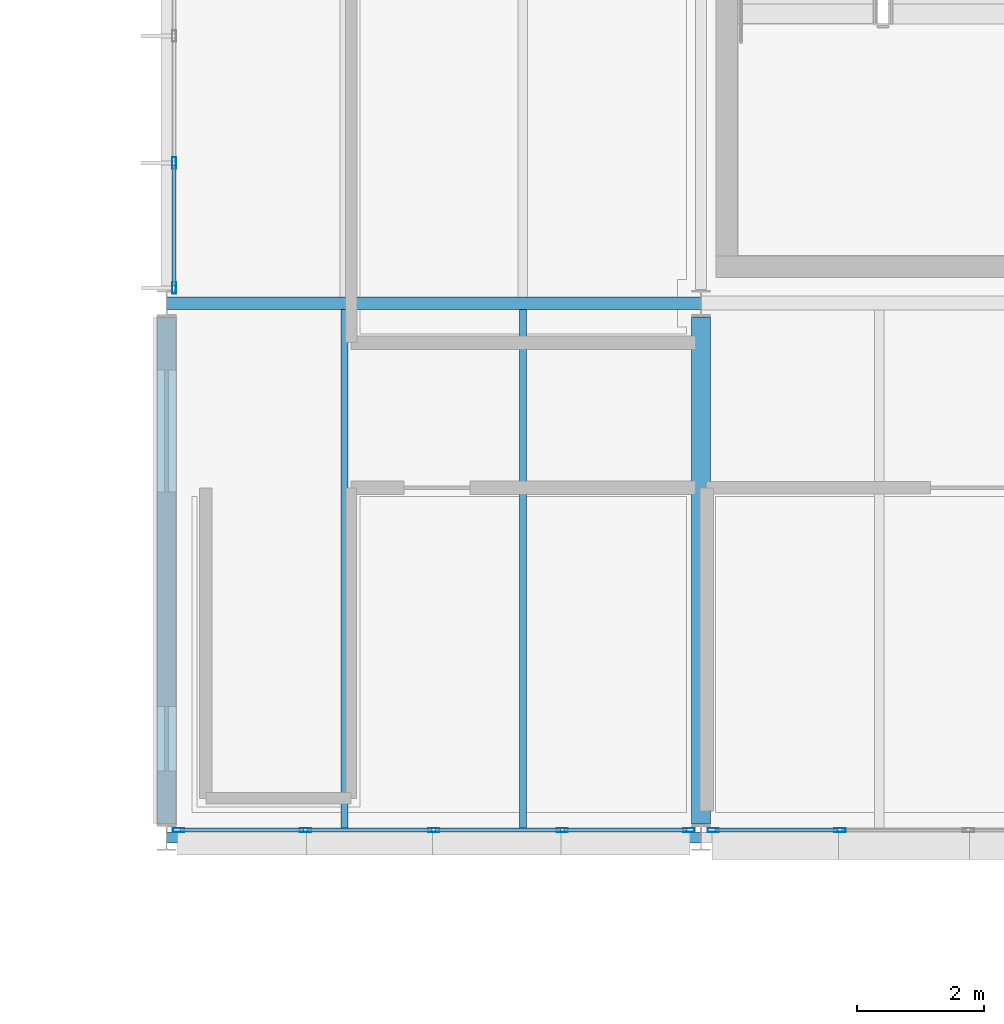
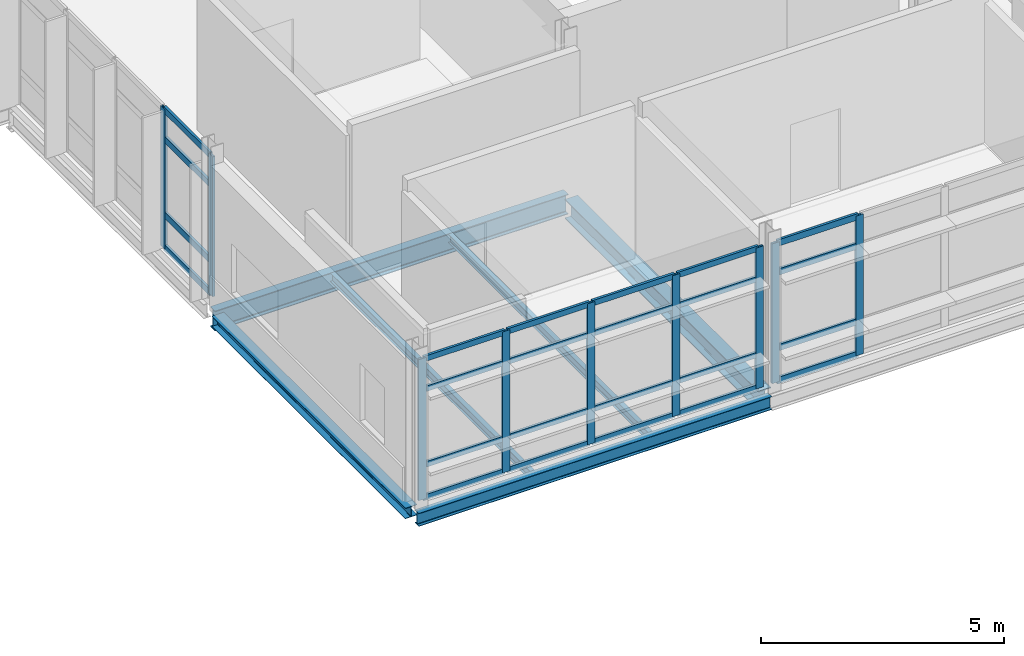
# One storey, part 36 of 66: 33 members, 6 beams, 3 elements without a shape of their own.
"""IFC4 building model written with IfcOpenShell, lengths in metres."""

from ifc_helpers import new_model, si_unit, direction, frame, origin, origin_2d, place, context, subcontext, project, spatial, hollow_rectangle, i_section, extrude, material, material_profile, profile_set, type_object, element, aggregate, save


model = new_model("IFC4")

# Units and contexts
model_context = context("Model", 3, precision=1e-05, world=origin(), true_north=direction((0.0, 1.0)))
body_context = subcontext(model_context, "Body", "Model", "MODEL_VIEW")
ifc_project = project(units=[si_unit("LENGTHUNIT", "METRE"), si_unit("AREAUNIT", "SQUARE_METRE"), si_unit("VOLUMEUNIT", "CUBIC_METRE"), si_unit("PLANEANGLEUNIT", "RADIAN"), si_unit("MASSUNIT", "GRAM", prefix="KILO")], contexts=[model_context])

# Site, building, storey
site_placement = place(None, origin())
site = spatial("IfcSite", under=ifc_project, at=site_placement, CompositionType="ELEMENT")
building_placement = place(site_placement, origin())
building = spatial("IfcBuilding", under=site, at=building_placement, Name="Mersafa Astral City Hall", CompositionType="ELEMENT")
storey_placement = place(building_placement, frame((0.0, 0.0, 22.050048828125)))
storey = spatial("IfcBuildingStorey", under=building, at=storey_placement, Name="L05", CompositionType="ELEMENT", Elevation=22.050048828125)

# Curtain wall, members
ifc_material_1 = material(Name="Anodised bronze aluminium framing", Category="aluminium")
curtain_wall_type_1 = type_object("IfcCurtainWallType", Name="ENV-CW-3", PredefinedType="USERDEFINED", material=ifc_material_1)
curtain_wall_1_placement = place(storey_placement, origin())
curtain_wall_1 = element("IfcCurtainWall", 1, at=curtain_wall_1_placement, inside=storey, type_object=curtain_wall_type_1, Name="L05 Unitised solar curtain wall 242", ObjectType="UNITISED CURTAIN WALL", PredefinedType="USERDEFINED")
ifc_material_profile_1 = material_profile(ifc_material_1, hollow_rectangle(XDim=0.06005859375, YDim=0.179931640625, WallThickness=0.00390625, at=origin_2d()), Name="RHS 60x180x4")
ifc_profile_set_1 = profile_set([ifc_material_profile_1], Name="Anodised bronze aluminium framing")
member_type_1 = type_object("IfcMemberType", Name="ENV-CW-MUL-1", PredefinedType="MULLION", material=ifc_profile_set_1)
member_1_placement = place(storey_placement, frame((142.919921875, 111.406005859375, -0.001953125), z_axis=(0.0, 0.0, 1.0), x_axis=(1.0, 0.0, 0.0)))
member_1 = element("IfcMember", 2, at=member_1_placement, type_object=member_type_1, Name="CW-3 mullion 4", PredefinedType="MULLION", context=body_context, shape_type="SweptSolid", body=[
    extrude(hollow_rectangle(XDim=0.06005859375, YDim=0.179931640625, WallThickness=0.00390625, at=origin_2d()), origin(), (0.0, 0.0, 1.0), 3.513916015625),
])
member_2_placement = place(storey_placement, frame((142.919921875, 109.44189453125, -0.001953125), z_axis=(0.0, 0.0, 1.0), x_axis=(1.0, 0.0, 0.0)))
member_2 = element("IfcMember", 3, at=member_2_placement, type_object=member_type_1, Name="CW-3 mullion 5", PredefinedType="MULLION", context=body_context, shape_type="SweptSolid", body=[
    extrude(hollow_rectangle(XDim=0.06005859375, YDim=0.179931640625, WallThickness=0.00390625, at=origin_2d()), origin(), (0.0, 0.0, 1.0), 3.513916015625),
])

curtain_wall_type_2 = type_object("IfcCurtainWallType", Name="ENV-CW-4", PredefinedType="USERDEFINED", material=ifc_material_1)
curtain_wall_2_placement = place(storey_placement, origin())
curtain_wall_2 = element("IfcCurtainWall", 4, at=curtain_wall_2_placement, inside=storey, type_object=curtain_wall_type_2, Name="L05 Unitised solar curtain wall 243", ObjectType="UNITISED CURTAIN WALL", PredefinedType="USERDEFINED")
member_3_placement = place(storey_placement, frame((142.991943359375, 100.919921875, -0.001953125), z_axis=(0.0, 0.0, 1.0), x_axis=(0.0, 1.0, 0.0)))
member_3 = element("IfcMember", 5, at=member_3_placement, type_object=member_type_1, Name="CW-4 mullion 1", PredefinedType="MULLION", context=body_context, shape_type="SweptSolid", body=[
    extrude(hollow_rectangle(XDim=0.06005859375, YDim=0.179931640625, WallThickness=0.00390625, at=origin_2d()), origin(), (0.0, 0.0, 1.0), 3.5439453125),
])
member_4_placement = place(storey_placement, frame((144.98095703125, 100.919921875, -0.001953125), z_axis=(0.0, 0.0, 1.0), x_axis=(0.0, 1.0, 0.0)))
member_4 = element("IfcMember", 6, at=member_4_placement, type_object=member_type_1, Name="CW-4 mullion 2", PredefinedType="MULLION", context=body_context, shape_type="SweptSolid", body=[
    extrude(hollow_rectangle(XDim=0.06005859375, YDim=0.179931640625, WallThickness=0.00390625, at=origin_2d()), origin(), (0.0, 0.0, 1.0), 3.5439453125),
])
member_5_placement = place(storey_placement, frame((147.0, 100.919921875, -0.001953125), z_axis=(0.0, 0.0, 1.0), x_axis=(0.0, 1.0, 0.0)))
member_5 = element("IfcMember", 7, at=member_5_placement, type_object=member_type_1, Name="CW-4 mullion 3", PredefinedType="MULLION", context=body_context, shape_type="SweptSolid", body=[
    extrude(hollow_rectangle(XDim=0.06005859375, YDim=0.179931640625, WallThickness=0.00390625, at=origin_2d()), origin(), (0.0, 0.0, 1.0), 3.5439453125),
])
member_6_placement = place(storey_placement, frame((149.01904296875, 100.919921875, -0.001953125), z_axis=(0.0, 0.0, 1.0), x_axis=(0.0, 1.0, 0.0)))
member_6 = element("IfcMember", 8, at=member_6_placement, type_object=member_type_1, Name="CW-4 mullion 4", PredefinedType="MULLION", context=body_context, shape_type="SweptSolid", body=[
    extrude(hollow_rectangle(XDim=0.06005859375, YDim=0.179931640625, WallThickness=0.00390625, at=origin_2d()), origin(), (0.0, 0.0, 1.0), 3.5439453125),
])
member_7_placement = place(storey_placement, frame((151.008056640625, 100.919921875, -0.001953125), z_axis=(0.0, 0.0, 1.0), x_axis=(0.0, 1.0, 0.0)))
member_7 = element("IfcMember", 9, at=member_7_placement, type_object=member_type_1, Name="CW-4 mullion 5", PredefinedType="MULLION", context=body_context, shape_type="SweptSolid", body=[
    extrude(hollow_rectangle(XDim=0.06005859375, YDim=0.179931640625, WallThickness=0.00390625, at=origin_2d()), origin(), (0.0, 0.0, 1.0), 3.5439453125),
])

curtain_wall_type_3 = type_object("IfcCurtainWallType", Name="ENV-CW-5", PredefinedType="USERDEFINED", material=ifc_material_1)
curtain_wall_3_placement = place(storey_placement, origin())
curtain_wall_3 = element("IfcCurtainWall", 10, at=curtain_wall_3_placement, inside=storey, type_object=curtain_wall_type_3, Name="L05 Unitised solar curtain wall 244", ObjectType="UNITISED CURTAIN WALL", PredefinedType="USERDEFINED")
member_8_placement = place(storey_placement, frame((151.39208984375, 100.919921875, -0.001953125), z_axis=(0.0, 0.0, 1.0), x_axis=(0.0, 1.0, 0.0)))
member_8 = element("IfcMember", 11, at=member_8_placement, type_object=member_type_1, Name="CW-5 mullion 1", PredefinedType="MULLION", context=body_context, shape_type="SweptSolid", body=[
    extrude(hollow_rectangle(XDim=0.06005859375, YDim=0.179931640625, WallThickness=0.00390625, at=origin_2d()), origin(), (0.0, 0.0, 1.0), 3.513916015625),
])
member_9_placement = place(storey_placement, frame((153.381103515625, 100.919921875, -0.001953125), z_axis=(0.0, 0.0, 1.0), x_axis=(0.0, 1.0, 0.0)))
member_9 = element("IfcMember", 12, at=member_9_placement, type_object=member_type_1, Name="CW-5 mullion 2", PredefinedType="MULLION", context=body_context, shape_type="SweptSolid", body=[
    extrude(hollow_rectangle(XDim=0.06005859375, YDim=0.179931640625, WallThickness=0.00390625, at=origin_2d()), origin(), (0.0, 0.0, 1.0), 3.513916015625),
])

# Member
ifc_material_profile_2 = material_profile(ifc_material_1, hollow_rectangle(XDim=0.06005859375, YDim=0.139892578125, WallThickness=0.00390625, at=origin_2d()), Name="RHS 60x140x4")
ifc_profile_set_2 = profile_set([ifc_material_profile_2], Name="Anodised bronze aluminium framing")
member_type_2 = type_object("IfcMemberType", Name="ENV-CW-TRN-1", PredefinedType="USERDEFINED", material=ifc_profile_set_2)
member_10_placement = place(storey_placement, frame((143.02197265625, 100.919921875, 0.02783203125), z_axis=(1.0, 0.0, 0.0), x_axis=(0.0, 1.0, 0.0)))
member_10 = element("IfcMember", 13, at=member_10_placement, type_object=member_type_2, Name="CW-4 transom 1.1", ObjectType="TRANSOM", PredefinedType="USERDEFINED", context=body_context, shape_type="SweptSolid", body=[
    extrude(hollow_rectangle(XDim=0.06005859375, YDim=0.139892578125, WallThickness=0.00390625, at=origin_2d()), origin(), (0.0, 0.0, 1.0), 1.928955078125),
])

member_11_placement = place(storey_placement, frame((143.02197265625, 100.919921875, 0.849853515625), z_axis=(1.0, 0.0, 0.0), x_axis=(0.0, 1.0, 0.0)))
member_11 = element("IfcMember", 14, at=member_11_placement, type_object=member_type_2, Name="CW-4 transom 1.2", ObjectType="TRANSOM", PredefinedType="USERDEFINED", context=body_context, shape_type="SweptSolid", body=[
    extrude(hollow_rectangle(XDim=0.06005859375, YDim=0.139892578125, WallThickness=0.00390625, at=origin_2d()), origin(), (0.0, 0.0, 1.0), 1.928955078125),
])

member_12_placement = place(storey_placement, frame((143.02197265625, 100.919921875, 2.75), z_axis=(1.0, 0.0, 0.0), x_axis=(0.0, 1.0, 0.0)))
member_12 = element("IfcMember", 15, at=member_12_placement, type_object=member_type_2, Name="CW-4 transom 1.3", ObjectType="TRANSOM", PredefinedType="USERDEFINED", context=body_context, shape_type="SweptSolid", body=[
    extrude(hollow_rectangle(XDim=0.06005859375, YDim=0.139892578125, WallThickness=0.00390625, at=origin_2d()), origin(), (0.0, 0.0, 1.0), 1.928955078125),
])

member_13_placement = place(storey_placement, frame((143.02197265625, 100.919921875, 3.511962890625), z_axis=(1.0, 0.0, 0.0), x_axis=(0.0, 1.0, 0.0)))
member_13 = element("IfcMember", 16, at=member_13_placement, type_object=member_type_2, Name="CW-4 transom 1.4", ObjectType="TRANSOM", PredefinedType="USERDEFINED", context=body_context, shape_type="SweptSolid", body=[
    extrude(hollow_rectangle(XDim=0.06005859375, YDim=0.139892578125, WallThickness=0.00390625, at=origin_2d()), origin(), (0.0, 0.0, 1.0), 1.928955078125),
])

member_14_placement = place(storey_placement, frame((145.010986328125, 100.919921875, 0.02783203125), z_axis=(1.0, 0.0, 0.0), x_axis=(0.0, 1.0, 0.0)))
member_14 = element("IfcMember", 17, at=member_14_placement, type_object=member_type_2, Name="CW-4 transom 2.1", ObjectType="TRANSOM", PredefinedType="USERDEFINED", context=body_context, shape_type="SweptSolid", body=[
    extrude(hollow_rectangle(XDim=0.06005859375, YDim=0.139892578125, WallThickness=0.00390625, at=origin_2d()), origin(), (0.0, 0.0, 1.0), 1.958984375),
])

member_15_placement = place(storey_placement, frame((145.010986328125, 100.919921875, 0.849853515625), z_axis=(1.0, 0.0, 0.0), x_axis=(0.0, 1.0, 0.0)))
member_15 = element("IfcMember", 18, at=member_15_placement, type_object=member_type_2, Name="CW-4 transom 2.2", ObjectType="TRANSOM", PredefinedType="USERDEFINED", context=body_context, shape_type="SweptSolid", body=[
    extrude(hollow_rectangle(XDim=0.06005859375, YDim=0.139892578125, WallThickness=0.00390625, at=origin_2d()), origin(), (0.0, 0.0, 1.0), 1.958984375),
])

member_16_placement = place(storey_placement, frame((145.010986328125, 100.919921875, 2.75), z_axis=(1.0, 0.0, 0.0), x_axis=(0.0, 1.0, 0.0)))
member_16 = element("IfcMember", 19, at=member_16_placement, type_object=member_type_2, Name="CW-4 transom 2.3", ObjectType="TRANSOM", PredefinedType="USERDEFINED", context=body_context, shape_type="SweptSolid", body=[
    extrude(hollow_rectangle(XDim=0.06005859375, YDim=0.139892578125, WallThickness=0.00390625, at=origin_2d()), origin(), (0.0, 0.0, 1.0), 1.958984375),
])

member_17_placement = place(storey_placement, frame((145.010986328125, 100.919921875, 3.511962890625), z_axis=(1.0, 0.0, 0.0), x_axis=(0.0, 1.0, 0.0)))
member_17 = element("IfcMember", 20, at=member_17_placement, type_object=member_type_2, Name="CW-4 transom 2.4", ObjectType="TRANSOM", PredefinedType="USERDEFINED", context=body_context, shape_type="SweptSolid", body=[
    extrude(hollow_rectangle(XDim=0.06005859375, YDim=0.139892578125, WallThickness=0.00390625, at=origin_2d()), origin(), (0.0, 0.0, 1.0), 1.958984375),
])

member_18_placement = place(storey_placement, frame((147.030029296875, 100.919921875, 0.02783203125), z_axis=(1.0, 0.0, 0.0), x_axis=(0.0, 1.0, 0.0)))
member_18 = element("IfcMember", 21, at=member_18_placement, type_object=member_type_2, Name="CW-4 transom 3.1", ObjectType="TRANSOM", PredefinedType="USERDEFINED", context=body_context, shape_type="SweptSolid", body=[
    extrude(hollow_rectangle(XDim=0.06005859375, YDim=0.139892578125, WallThickness=0.00390625, at=origin_2d()), origin(), (0.0, 0.0, 1.0), 1.958984375),
])

member_19_placement = place(storey_placement, frame((147.030029296875, 100.919921875, 0.849853515625), z_axis=(1.0, 0.0, 0.0), x_axis=(0.0, 1.0, 0.0)))
member_19 = element("IfcMember", 22, at=member_19_placement, type_object=member_type_2, Name="CW-4 transom 3.2", ObjectType="TRANSOM", PredefinedType="USERDEFINED", context=body_context, shape_type="SweptSolid", body=[
    extrude(hollow_rectangle(XDim=0.06005859375, YDim=0.139892578125, WallThickness=0.00390625, at=origin_2d()), origin(), (0.0, 0.0, 1.0), 1.958984375),
])

member_20_placement = place(storey_placement, frame((147.030029296875, 100.919921875, 2.75), z_axis=(1.0, 0.0, 0.0), x_axis=(0.0, 1.0, 0.0)))
member_20 = element("IfcMember", 23, at=member_20_placement, type_object=member_type_2, Name="CW-4 transom 3.3", ObjectType="TRANSOM", PredefinedType="USERDEFINED", context=body_context, shape_type="SweptSolid", body=[
    extrude(hollow_rectangle(XDim=0.06005859375, YDim=0.139892578125, WallThickness=0.00390625, at=origin_2d()), origin(), (0.0, 0.0, 1.0), 1.958984375),
])

member_21_placement = place(storey_placement, frame((147.030029296875, 100.919921875, 3.511962890625), z_axis=(1.0, 0.0, 0.0), x_axis=(0.0, 1.0, 0.0)))
member_21 = element("IfcMember", 24, at=member_21_placement, type_object=member_type_2, Name="CW-4 transom 3.4", ObjectType="TRANSOM", PredefinedType="USERDEFINED", context=body_context, shape_type="SweptSolid", body=[
    extrude(hollow_rectangle(XDim=0.06005859375, YDim=0.139892578125, WallThickness=0.00390625, at=origin_2d()), origin(), (0.0, 0.0, 1.0), 1.958984375),
])

member_22_placement = place(storey_placement, frame((149.049072265625, 100.919921875, 0.02783203125), z_axis=(1.0, 0.0, 0.0), x_axis=(0.0, 1.0, 0.0)))
member_22 = element("IfcMember", 25, at=member_22_placement, type_object=member_type_2, Name="CW-4 transom 4.1", ObjectType="TRANSOM", PredefinedType="USERDEFINED", context=body_context, shape_type="SweptSolid", body=[
    extrude(hollow_rectangle(XDim=0.06005859375, YDim=0.139892578125, WallThickness=0.00390625, at=origin_2d()), origin(), (0.0, 0.0, 1.0), 1.928955078125),
])

member_23_placement = place(storey_placement, frame((149.049072265625, 100.919921875, 0.849853515625), z_axis=(1.0, 0.0, 0.0), x_axis=(0.0, 1.0, 0.0)))
member_23 = element("IfcMember", 26, at=member_23_placement, type_object=member_type_2, Name="CW-4 transom 4.2", ObjectType="TRANSOM", PredefinedType="USERDEFINED", context=body_context, shape_type="SweptSolid", body=[
    extrude(hollow_rectangle(XDim=0.06005859375, YDim=0.139892578125, WallThickness=0.00390625, at=origin_2d()), origin(), (0.0, 0.0, 1.0), 1.928955078125),
])

member_24_placement = place(storey_placement, frame((149.049072265625, 100.919921875, 2.75), z_axis=(1.0, 0.0, 0.0), x_axis=(0.0, 1.0, 0.0)))
member_24 = element("IfcMember", 27, at=member_24_placement, type_object=member_type_2, Name="CW-4 transom 4.3", ObjectType="TRANSOM", PredefinedType="USERDEFINED", context=body_context, shape_type="SweptSolid", body=[
    extrude(hollow_rectangle(XDim=0.06005859375, YDim=0.139892578125, WallThickness=0.00390625, at=origin_2d()), origin(), (0.0, 0.0, 1.0), 1.928955078125),
])

member_25_placement = place(storey_placement, frame((149.049072265625, 100.919921875, 3.511962890625), z_axis=(1.0, 0.0, 0.0), x_axis=(0.0, 1.0, 0.0)))
member_25 = element("IfcMember", 28, at=member_25_placement, type_object=member_type_2, Name="CW-4 transom 4.4", ObjectType="TRANSOM", PredefinedType="USERDEFINED", context=body_context, shape_type="SweptSolid", body=[
    extrude(hollow_rectangle(XDim=0.06005859375, YDim=0.139892578125, WallThickness=0.00390625, at=origin_2d()), origin(), (0.0, 0.0, 1.0), 1.928955078125),
])

aggregate(curtain_wall_2, [member_3, member_4, member_5, member_6, member_7, member_10, member_11, member_12, member_13, member_14, member_15, member_16, member_17, member_18, member_19, member_20, member_21, member_22, member_23, member_24, member_25])

ifc_material_profile_3 = material_profile(ifc_material_1, hollow_rectangle(XDim=0.06005859375, YDim=0.159912109375, WallThickness=0.00390625, at=origin_2d()), Name="RHS 60x160x4")
ifc_profile_set_3 = profile_set([ifc_material_profile_3], Name="Anodised bronze aluminium framing")
member_type_3 = type_object("IfcMemberType", Name="ENV-CW-TRN-2", PredefinedType="USERDEFINED", material=ifc_profile_set_3)
member_26_placement = place(storey_placement, frame((142.919921875, 111.3759765625, 0.02783203125), z_axis=(0.0, -1.0, 0.0), x_axis=(1.0, 0.0, 0.0)))
member_26 = element("IfcMember", 29, at=member_26_placement, type_object=member_type_3, Name="CW-3 transom 4.1", ObjectType="TRANSOM", PredefinedType="USERDEFINED", context=body_context, shape_type="SweptSolid", body=[
    extrude(hollow_rectangle(XDim=0.06005859375, YDim=0.159912109375, WallThickness=0.00390625, at=origin_2d()), origin(), (0.0, 0.0, 1.0), 1.904052734375),
])

member_27_placement = place(storey_placement, frame((142.919921875, 111.3759765625, 0.849853515625), z_axis=(0.0, -1.0, 0.0), x_axis=(1.0, 0.0, 0.0)))
member_27 = element("IfcMember", 30, at=member_27_placement, type_object=member_type_3, Name="CW-3 transom 4.2", ObjectType="TRANSOM", PredefinedType="USERDEFINED", context=body_context, shape_type="SweptSolid", body=[
    extrude(hollow_rectangle(XDim=0.06005859375, YDim=0.159912109375, WallThickness=0.00390625, at=origin_2d()), origin(), (0.0, 0.0, 1.0), 1.904052734375),
])

member_28_placement = place(storey_placement, frame((142.919921875, 111.3759765625, 2.75), z_axis=(0.0, -1.0, 0.0), x_axis=(1.0, 0.0, 0.0)))
member_28 = element("IfcMember", 31, at=member_28_placement, type_object=member_type_3, Name="CW-3 transom 4.3", ObjectType="TRANSOM", PredefinedType="USERDEFINED", context=body_context, shape_type="SweptSolid", body=[
    extrude(hollow_rectangle(XDim=0.06005859375, YDim=0.159912109375, WallThickness=0.00390625, at=origin_2d()), origin(), (0.0, 0.0, 1.0), 1.904052734375),
])

member_29_placement = place(storey_placement, frame((142.919921875, 111.3759765625, 3.48193359375), z_axis=(0.0, -1.0, 0.0), x_axis=(1.0, 0.0, 0.0)))
member_29 = element("IfcMember", 32, at=member_29_placement, type_object=member_type_3, Name="CW-3 transom 4.4", ObjectType="TRANSOM", PredefinedType="USERDEFINED", context=body_context, shape_type="SweptSolid", body=[
    extrude(hollow_rectangle(XDim=0.06005859375, YDim=0.159912109375, WallThickness=0.00390625, at=origin_2d()), origin(), (0.0, 0.0, 1.0), 1.904052734375),
])

aggregate(curtain_wall_1, [member_1, member_2, member_26, member_27, member_28, member_29])

member_30_placement = place(storey_placement, frame((151.422119140625, 100.919921875, 0.02783203125), z_axis=(1.0, 0.0, 0.0), x_axis=(0.0, 1.0, 0.0)))
member_30 = element("IfcMember", 33, at=member_30_placement, type_object=member_type_3, Name="CW-5 transom 1.1", ObjectType="TRANSOM", PredefinedType="USERDEFINED", context=body_context, shape_type="SweptSolid", body=[
    extrude(hollow_rectangle(XDim=0.06005859375, YDim=0.159912109375, WallThickness=0.00390625, at=origin_2d()), origin(), (0.0, 0.0, 1.0), 1.928955078125),
])

member_31_placement = place(storey_placement, frame((151.422119140625, 100.919921875, 0.849853515625), z_axis=(1.0, 0.0, 0.0), x_axis=(0.0, 1.0, 0.0)))
member_31 = element("IfcMember", 34, at=member_31_placement, type_object=member_type_3, Name="CW-5 transom 1.2", ObjectType="TRANSOM", PredefinedType="USERDEFINED", context=body_context, shape_type="SweptSolid", body=[
    extrude(hollow_rectangle(XDim=0.06005859375, YDim=0.159912109375, WallThickness=0.00390625, at=origin_2d()), origin(), (0.0, 0.0, 1.0), 1.928955078125),
])

member_32_placement = place(storey_placement, frame((151.422119140625, 100.919921875, 2.75), z_axis=(1.0, 0.0, 0.0), x_axis=(0.0, 1.0, 0.0)))
member_32 = element("IfcMember", 35, at=member_32_placement, type_object=member_type_3, Name="CW-5 transom 1.3", ObjectType="TRANSOM", PredefinedType="USERDEFINED", context=body_context, shape_type="SweptSolid", body=[
    extrude(hollow_rectangle(XDim=0.06005859375, YDim=0.159912109375, WallThickness=0.00390625, at=origin_2d()), origin(), (0.0, 0.0, 1.0), 1.928955078125),
])

member_33_placement = place(storey_placement, frame((151.422119140625, 100.919921875, 3.48193359375), z_axis=(1.0, 0.0, 0.0), x_axis=(0.0, 1.0, 0.0)))
member_33 = element("IfcMember", 36, at=member_33_placement, type_object=member_type_3, Name="CW-5 transom 1.4", ObjectType="TRANSOM", PredefinedType="USERDEFINED", context=body_context, shape_type="SweptSolid", body=[
    extrude(hollow_rectangle(XDim=0.06005859375, YDim=0.159912109375, WallThickness=0.00390625, at=origin_2d()), origin(), (0.0, 0.0, 1.0), 1.928955078125),
])

aggregate(curtain_wall_3, [member_8, member_9, member_30, member_31, member_32, member_33])

# Beams
ifc_material_2 = material(Name="Steel S355", Category="steel")
ifc_material_profile_4 = material_profile(ifc_material_2, i_section(OverallWidth=0.300048828125, OverallDepth=0.489990234375, WebThickness=0.011962890625, FlangeThickness=0.02294921875, FilletRadius=0.027099609375, at=origin_2d()), Name="HEA 500")
ifc_profile_set_4 = profile_set([ifc_material_profile_4], Name="Steel S355")
beam_type_1 = type_object("IfcBeamType", Name="STR-BM-HEA500", PredefinedType="BEAM", material=ifc_profile_set_4)
beam_1_placement = place(storey_placement, frame((151.199951171875, 101.02001953125, -0.425048828125), z_axis=(0.0, 1.0, 0.0), x_axis=(-1.0, 0.0, 0.0)))
element("IfcBeam", 37, at=beam_1_placement, inside=storey, type_object=beam_type_1, Name="L05 Primary girder Y 18-12", PredefinedType="BEAM", context=body_context, shape_type="SweptSolid", body=[
    extrude(i_section(OverallWidth=0.300048828125, OverallDepth=0.489990234375, WebThickness=0.011962890625, FlangeThickness=0.02294921875, FilletRadius=0.027099609375, at=origin_2d()), origin(), (0.0, 0.0, 1.0), 7.9599609375),
])
ifc_material_profile_5 = material_profile(ifc_material_2, i_section(OverallWidth=0.199951171875, OverallDepth=0.5, WebThickness=0.01025390625, FlangeThickness=0.01611328125, FilletRadius=0.02099609375, at=origin_2d()), Name="IPE 500")
ifc_profile_set_5 = profile_set([ifc_material_profile_5], Name="Steel S355")
beam_type_2 = type_object("IfcBeamType", Name="STR-BM-IPE500", PredefinedType="BEAM", material=ifc_profile_set_5)
beam_2_placement = place(storey_placement, frame((142.802978515625, 109.199951171875, -0.429931640625), z_axis=(1.0, 0.0, 0.0), x_axis=(0.0, 1.0, 0.0)))
element("IfcBeam", 38, at=beam_2_placement, inside=storey, type_object=beam_type_2, Name="L05 Primary girder X 17-13", PredefinedType="BEAM", context=body_context, shape_type="SweptSolid", body=[
    extrude(i_section(OverallWidth=0.199951171875, OverallDepth=0.5, WebThickness=0.01025390625, FlangeThickness=0.01611328125, FilletRadius=0.02099609375, at=origin_2d()), origin(), (0.0, 0.0, 1.0), 8.39404296875),
])
ifc_material_profile_6 = material_profile(ifc_material_2, i_section(OverallWidth=0.110107421875, OverallDepth=0.219970703125, WebThickness=0.005859375, FlangeThickness=0.00927734375, FilletRadius=0.011962890625, at=origin_2d()), Name="IPE 220")
ifc_profile_set_6 = profile_set([ifc_material_profile_6], Name="Steel S355")
beam_type_3 = type_object("IfcBeamType", Name="STR-BM-JOIST-IPE220", PredefinedType="JOIST", material=ifc_profile_set_6)
for number, where, z_axis, x_axis, name in (
    (39, (145.60009765625, 100.875, -0.2900390625), (0.0, 1.0, 0.0), (-1.0, 0.0, 0.0), "L05 Composite secondary floor joist 809"),
    (40, (148.39990234375, 100.875, -0.2900390625), (0.0, 1.0, 0.0), (-1.0, 0.0, 0.0), "L05 Composite secondary floor joist 810"),
):
    element("IfcBeam", number, at=place(storey_placement, frame(where, z_axis=z_axis, x_axis=x_axis)), inside=storey, type_object=beam_type_3, Name=name, PredefinedType="JOIST", context=body_context, shape_type="SweptSolid", body=[
        extrude(i_section(OverallWidth=0.110107421875, OverallDepth=0.219970703125, WebThickness=0.005859375, FlangeThickness=0.00927734375, FilletRadius=0.011962890625, at=origin_2d()), origin(), (0.0, 0.0, 1.0), 8.22998046875),
    ])
ifc_material_profile_7 = material_profile(ifc_material_2, i_section(OverallWidth=0.280029296875, OverallDepth=0.27001953125, WebThickness=0.008056640625, FlangeThickness=0.012939453125, FilletRadius=0.02392578125, at=origin_2d()), Name="HEA 280")
ifc_profile_set_7 = profile_set([ifc_material_profile_7], Name="Steel S355")
beam_type_4 = type_object("IfcBeamType", Name="STR-BM-SPANDREL-HEA280", PredefinedType="SPANDREL", material=ifc_profile_set_7)
beam_3_placement = place(storey_placement, frame((142.800048828125, 101.02001953125, -0.31494140625), z_axis=(0.0, 1.0, 0.0), x_axis=(-1.0, 0.0, 0.0)))
element("IfcBeam", 41, at=beam_3_placement, inside=storey, type_object=beam_type_4, Name="L05 Primary girder Y 17-12", PredefinedType="SPANDREL", context=body_context, shape_type="SweptSolid", body=[
    extrude(i_section(OverallWidth=0.280029296875, OverallDepth=0.27001953125, WebThickness=0.008056640625, FlangeThickness=0.012939453125, FilletRadius=0.02392578125, at=origin_2d()), origin(), (0.0, 0.0, 1.0), 7.9599609375),
])
ifc_material_profile_8 = material_profile(ifc_material_2, i_section(OverallWidth=0.159912109375, OverallDepth=0.330078125, WebThickness=0.007568359375, FlangeThickness=0.011474609375, FilletRadius=0.01806640625, at=origin_2d()), Name="IPE 330")
ifc_profile_set_8 = profile_set([ifc_material_profile_8], Name="Steel S355")
beam_type_5 = type_object("IfcBeamType", Name="STR-BM-SPANDREL-IPE330", PredefinedType="SPANDREL", material=ifc_profile_set_8)
beam_4_placement = place(storey_placement, frame((142.802978515625, 100.800048828125, -0.344970703125), z_axis=(1.0, 0.0, 0.0), x_axis=(0.0, 1.0, 0.0)))
element("IfcBeam", 42, at=beam_4_placement, inside=storey, type_object=beam_type_5, Name="L05 Primary girder X 17-12", PredefinedType="SPANDREL", context=body_context, shape_type="SweptSolid", body=[
    extrude(i_section(OverallWidth=0.159912109375, OverallDepth=0.330078125, WebThickness=0.007568359375, FlangeThickness=0.011474609375, FilletRadius=0.01806640625, at=origin_2d()), origin(), (0.0, 0.0, 1.0), 8.39404296875),
])

save(model, "model.ifc")
